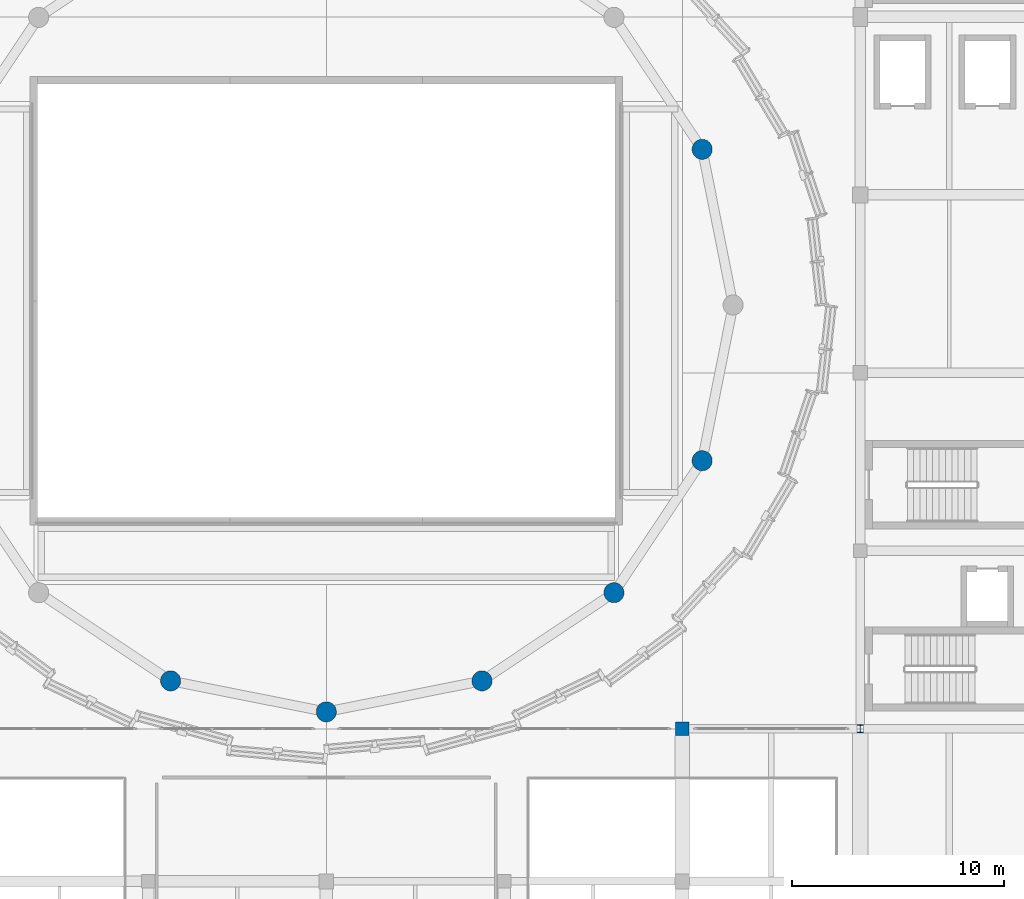
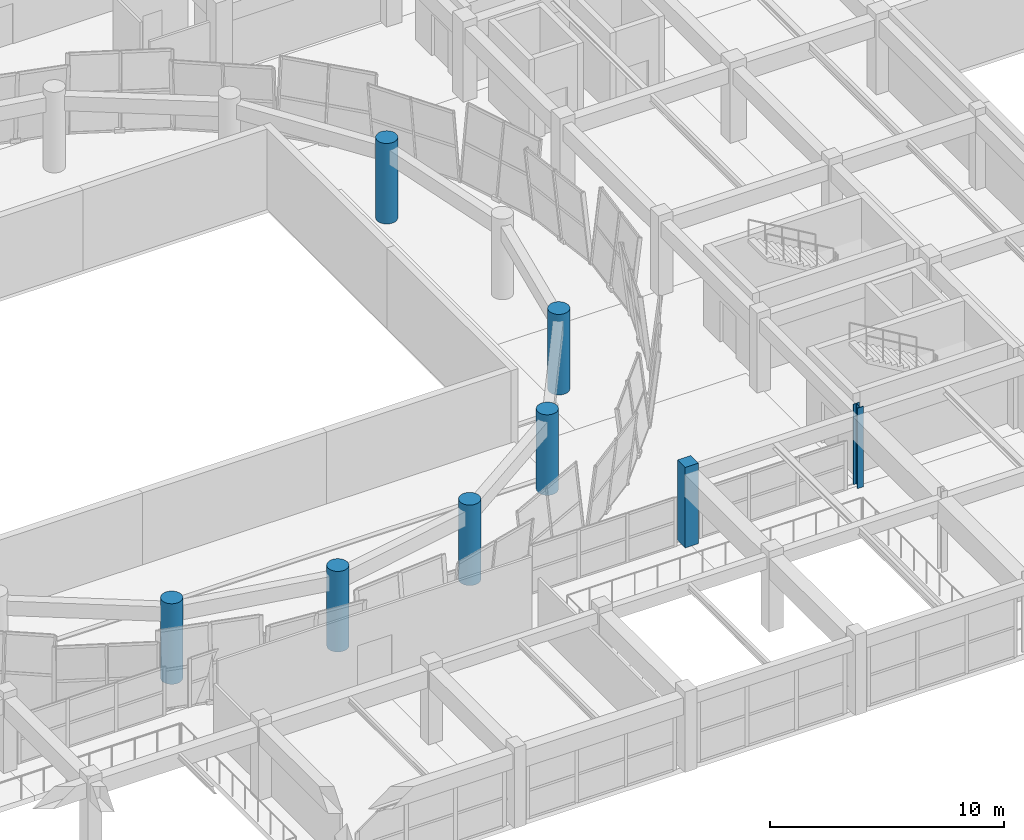
# One storey, part 7 of 71: 8 columns.
"""IFC4 building model written with IfcOpenShell, lengths in metres."""

import ifcopenshell
import ifcopenshell.guid

model = None  # the IFC model being written
_history = None  # IfcOwnerHistory: only IFC2X3 demands one
_inside = {}  # id of a spatial element -> (the spatial element, [elements in it])
_under = {}  # id of a project, library or spatial element -> (it, [spatial elements below it])
_declared = {}  # id of a project -> (the project, [libraries it declares])
_typed = {}  # id of a type object -> (the type object, [elements of that type])
_made_of = {}  # id of a material, layer set ... -> (it, [elements and type objects made of it])


def new_model(schema):
    """Start an empty IFC model of exactly this schema.

    Asked for "IFC4X3", IfcOpenShell would pick the latest addendum, in which some entities
    have other attributes; the version numbers below select the first issue.
    IFC2X3 requires an IfcOwnerHistory on every rooted entity: one is made here for all.
    """
    global model, _history
    if schema == "IFC4X3":
        model = ifcopenshell.file(schema_version=(4, 3, 0, 0))
    else:
        model = ifcopenshell.file(schema=schema)
    _inside.clear()
    _under.clear()
    _declared.clear()
    _typed.clear()
    _made_of.clear()
    _history = None
    if model.schema == "IFC2X3":
        org = make("IfcOrganization", Name="unknown")
        user = make(
            "IfcPersonAndOrganization",
            ThePerson=make("IfcPerson", FamilyName="unknown"),
            TheOrganization=org,
        )
        app = make(
            "IfcApplication",
            ApplicationDeveloper=org,
            Version="unknown",
            ApplicationFullName="unknown",
            ApplicationIdentifier="unknown",
        )
        _history = make(
            "IfcOwnerHistory",
            OwningUser=user,
            OwningApplication=app,
            ChangeAction="ADDED",
            CreationDate=0,
        )
    return model


def make(cls, **values):
    """One entity of the class cls with the attributes given. An attribute that is None is left unset."""
    return model.create_entity(
        cls, **{name: value for name, value in values.items() if value is not None}
    )


def rooted(cls, **values):
    """An entity with a GlobalId (a new one), such as an element, a storey or a relation."""
    return make(cls, GlobalId=ifcopenshell.guid.new(), OwnerHistory=_history, **values)


def si_unit(unit_type, name, prefix=None):
    """IfcSIUnit, for example si_unit("LENGTHUNIT", "METRE", prefix="MILLI")."""
    return make("IfcSIUnit", UnitType=unit_type, Prefix=prefix, Name=name)


def assignment(units):
    """IfcUnitAssignment: the units of a project."""
    return None if units is None else make("IfcUnitAssignment", Units=units)


def point(xyz):
    """IfcCartesianPoint."""
    return None if xyz is None else make("IfcCartesianPoint", Coordinates=xyz)


def direction(xyz):
    """IfcDirection."""
    return None if xyz is None else make("IfcDirection", DirectionRatios=xyz)


def frame(location, z_axis=None, x_axis=None):
    """IfcAxis2Placement3D, a coordinate frame: its origin and axes. An axis left out is left unset."""
    return make(
        "IfcAxis2Placement3D",
        Location=point(location),
        Axis=direction(z_axis),
        RefDirection=direction(x_axis),
    )


def frame_2d(location, x_axis=None):
    """IfcAxis2Placement2D, a coordinate frame in the plane: its origin and x axis."""
    return make(
        "IfcAxis2Placement2D", Location=point(location), RefDirection=direction(x_axis)
    )


def origin():
    """The frame at (0, 0, 0) with its axes left unset."""
    return frame((0.0, 0.0, 0.0))


def origin_2d():
    """The frame at (0, 0) in the plane with its x axis left unset."""
    return frame_2d((0.0, 0.0))


def place(relative_to, where):
    """IfcLocalPlacement: puts the frame where relative to a parent placement (None: the world)."""
    return make(
        "IfcLocalPlacement", PlacementRelTo=relative_to, RelativePlacement=where
    )


def context(
    kind, dimensions, precision=None, world=None, true_north=None, identifier=None
):
    """IfcGeometricRepresentationContext, for example the 3D "Model" context."""
    return make(
        "IfcGeometricRepresentationContext",
        ContextIdentifier=identifier,
        ContextType=kind,
        CoordinateSpaceDimension=dimensions,
        Precision=precision,
        WorldCoordinateSystem=world,
        TrueNorth=true_north,
    )


def subcontext(parent, identifier, kind, view, scale=None):
    """IfcGeometricRepresentationSubContext, for example "Body" below "Model"."""
    return make(
        "IfcGeometricRepresentationSubContext",
        ContextIdentifier=identifier,
        ContextType=kind,
        ParentContext=parent,
        TargetScale=scale,
        TargetView=view,
    )


def project(units=None, contexts=None):
    """IfcProject with its units and contexts."""
    return rooted(
        "IfcProject",
        Name="project",
        RepresentationContexts=contexts,
        UnitsInContext=assignment(units),
    )


def spatial(cls, under=None, at=None, **own):
    """A site, building, storey or space (cls), placed at a placement, below another one or the project."""
    s = rooted(cls, ObjectPlacement=at, **own)
    if under is not None:
        _under.setdefault(under.id(), (under, []))[1].append(s)
    return s


def profile(cls, at=None, kind="AREA", **sizes):
    """A parametric profile (cls). Its sizes go by their IFC names, for example OverallWidth=200.0."""
    return make(cls, ProfileType=kind, Position=at, **sizes)


def rectangle(**sizes):
    """IfcRectangleProfileDef."""
    return profile("IfcRectangleProfileDef", **sizes)


def circle(**sizes):
    """IfcCircleProfileDef."""
    return profile("IfcCircleProfileDef", **sizes)


def i_section(**sizes):
    """IfcIShapeProfileDef."""
    return profile("IfcIShapeProfileDef", **sizes)


def extrude(swept, where, along, depth):
    """IfcExtrudedAreaSolid: the profile swept, set in the frame where, extruded along a direction by depth."""
    return make(
        "IfcExtrudedAreaSolid",
        SweptArea=swept,
        Position=where,
        ExtrudedDirection=direction(along),
        Depth=depth,
    )


def shape(context_of_items, identifier, shape_type, items):
    """IfcShapeRepresentation: the items that make up one representation, for example the "Body"."""
    return make(
        "IfcShapeRepresentation",
        ContextOfItems=context_of_items,
        RepresentationIdentifier=identifier,
        RepresentationType=shape_type,
        Items=items,
    )


def material(Name=None, Category=None):
    """IfcMaterial."""
    return make("IfcMaterial", Name=Name, Category=Category)


def material_profile(
    of_material, cross_section, Name=None, Category=None, Priority=None
):
    """IfcMaterialProfile: a cross section and its material."""
    return make(
        "IfcMaterialProfile",
        Name=Name,
        Material=of_material,
        Profile=cross_section,
        Priority=Priority,
        Category=Category,
    )


def profile_set(profiles, Name=None, composite=None):
    """IfcMaterialProfileSet."""
    return make(
        "IfcMaterialProfileSet",
        Name=Name,
        MaterialProfiles=profiles,
        CompositeProfile=composite,
    )


def made_of(thing, what):
    """Note that an element or type object is made of a material, layer set ...; save() writes the relation."""
    if what is not None:
        _made_of.setdefault(what.id(), (what, []))[1].append(thing)
    return thing


def type_object(cls, material=None, **own):
    """A type object (cls), such as IfcWallType, which elements share."""
    return made_of(rooted(cls, **own), material)


def element(
    cls,
    number,
    at=None,
    inside=None,
    cuts=None,
    type_object=None,
    material=None,
    context=None,
    identifier="Body",
    shape_type=None,
    held_by="IfcProductDefinitionShape",
    body=None,
    shapes=None,
    **own,
):
    """One element of the class cls, such as IfcWall. Its Tag is "e" and its number.

    at: its placement. inside: the storey or other place that contains it. cuts: it is an
    opening in that element (IfcRelVoidsElement). A single representation is given by context,
    identifier, shape_type and body (its items); several are given by shapes. held_by: the class
    of the entity that holds the representations. save() writes the other relations.
    """
    e = rooted(cls, Tag="e%d" % number, ObjectPlacement=at, **own)
    if body is not None:
        shapes = [shape(context, identifier, shape_type, body)]
    if shapes is not None:
        e.Representation = make(held_by, Representations=shapes)
    if inside is not None:
        _inside.setdefault(inside.id(), (inside, []))[1].append(e)
    if cuts is not None:
        rooted(
            "IfcRelVoidsElement", RelatingBuildingElement=cuts, RelatedOpeningElement=e
        )
    if type_object is not None:
        _typed.setdefault(type_object.id(), (type_object, []))[1].append(e)
    return made_of(e, material)


def aggregate(whole, parts):
    """IfcRelAggregates: a whole, such as a stair, and the parts it consists of."""
    return rooted("IfcRelAggregates", RelatingObject=whole, RelatedObjects=parts)


def save(model, path):
    """Write the relations noted so far, then the file.

    IfcRelAggregates (storeys below a building ...), IfcRelContainedInSpatialStructure (elements
    in a storey), IfcRelDefinesByType, IfcRelAssociatesMaterial and IfcRelDeclares: one each for
    every whole, place, type object, material and project.
    """
    for whole, parts in _under.values():
        aggregate(whole, parts)
    for where, things in _inside.values():
        rooted(
            "IfcRelContainedInSpatialStructure",
            RelatedElements=things,
            RelatingStructure=where,
        )
    for kind, things in _typed.values():
        rooted("IfcRelDefinesByType", RelatedObjects=things, RelatingType=kind)
    for what, things in _made_of.values():
        rooted("IfcRelAssociatesMaterial", RelatedObjects=things, RelatingMaterial=what)
    for by, libraries in _declared.values():
        rooted("IfcRelDeclares", RelatingContext=by, RelatedDefinitions=libraries)
    model.write(path)


model = new_model("IFC4")

# Units and contexts
model_context = context("Model", 3, precision=1e-05, world=origin(), true_north=direction((0.0, 1.0)))
body_context = subcontext(model_context, "Body", "Model", "MODEL_VIEW")
ifc_project = project(units=[si_unit("LENGTHUNIT", "METRE"), si_unit("AREAUNIT", "SQUARE_METRE"), si_unit("VOLUMEUNIT", "CUBIC_METRE"), si_unit("PLANEANGLEUNIT", "RADIAN"), si_unit("MASSUNIT", "GRAM", prefix="KILO")], contexts=[model_context])

# Site, building, storey
site_placement = place(None, origin())
site = spatial("IfcSite", under=ifc_project, at=site_placement, CompositionType="ELEMENT")
building_placement = place(site_placement, origin())
building = spatial("IfcBuilding", under=site, at=building_placement, Name="Korsvaeld Concert Hall", CompositionType="ELEMENT")
storey_placement = place(building_placement, frame((0.0, 0.0, 4.800048828125)))
storey = spatial("IfcBuildingStorey", under=building, at=storey_placement, Name="L01", CompositionType="ELEMENT", Elevation=4.800048828125)

# Columns
ifc_material_1 = material(Name="Concrete C40/50", Category="concrete")
ifc_material_profile_1 = material_profile(ifc_material_1, circle(Radius=0.47509765625, at=origin_2d()), Name="RC D950")
ifc_profile_set_1 = profile_set([ifc_material_profile_1], Name="Concrete C40/50")
column_type_1 = type_object("IfcColumnType", Name="COL-DRUM-D950", PredefinedType="COLUMN", material=ifc_profile_set_1)
for number, where, z_axis, x_axis, name in (
    (1, (101.738525390625, 70.547607421875, 0.0), (0.0, 0.0, 1.0), (1.0, 0.0, 0.0), "Drum column D02 L01"),
    (2, (76.652587890625, 45.46142578125, 0.0), (0.0, 0.0, 1.0), (1.0, 0.0, 0.0), "Drum column D12 L01"),
    (3, (84.0, 44.0, 0.0), (0.0, 0.0, 1.0), (1.0, 0.0, 0.0), "Drum column D13 L01"),
    (4, (91.347412109375, 45.46142578125, 0.0), (0.0, 0.0, 1.0), (1.0, 0.0, 0.0), "Drum column D14 L01"),
    (5, (97.576416015625, 49.62353515625, 0.0), (0.0, 0.0, 1.0), (1.0, 0.0, 0.0), "Drum column D15 L01"),
    (6, (101.738525390625, 55.8525390625, 0.0), (0.0, 0.0, 1.0), (1.0, 0.0, 0.0), "Drum column D16 L01"),
):
    element("IfcColumn", number, at=place(storey_placement, frame(where, z_axis=z_axis, x_axis=x_axis)), inside=storey, type_object=column_type_1, Name=name, PredefinedType="COLUMN", context=body_context, shape_type="SweptSolid", body=[
        extrude(circle(Radius=0.47509765625, at=origin_2d()), origin(), (0.0, 0.0, 1.0), 4.199951171875),
    ])
ifc_material_profile_2 = material_profile(ifc_material_1, rectangle(XDim=0.64990234375, YDim=0.64990234375, at=origin_2d()), Name="RC 650x650")
ifc_profile_set_2 = profile_set([ifc_material_profile_2], Name="Concrete C40/50")
column_type_2 = type_object("IfcColumnType", Name="COL-RC-650x650", PredefinedType="COLUMN", material=ifc_profile_set_2)
column_1_placement = place(storey_placement, frame((100.800048828125, 43.199951171875, 0.0), z_axis=(0.0, 0.0, 1.0), x_axis=(1.0, 0.0, 0.0)))
element("IfcColumn", 7, at=column_1_placement, inside=storey, type_object=column_type_2, Name="Column 14/G L01", PredefinedType="COLUMN", context=body_context, shape_type="SweptSolid", body=[
    extrude(rectangle(XDim=0.64990234375, YDim=0.64990234375, at=origin_2d()), origin(), (0.0, 0.0, 1.0), 4.199951171875),
])
ifc_material_2 = material(Name="Steel S355J2", Category="steel")
ifc_material_profile_3 = material_profile(ifc_material_2, i_section(OverallWidth=0.300048828125, OverallDepth=0.360107421875, WebThickness=0.012451171875, FlangeThickness=0.0224609375, FilletRadius=0.027099609375, at=origin_2d()), Name="HEB 360")
ifc_profile_set_3 = profile_set([ifc_material_profile_3], Name="Steel S355J2")
column_type_3 = type_object("IfcColumnType", Name="COL-STL-HEB360", PredefinedType="COLUMN", material=ifc_profile_set_3)
column_2_placement = place(storey_placement, frame((109.199951171875, 43.199951171875, 0.0), z_axis=(0.0, 0.0, 1.0), x_axis=(1.0, 0.0, 0.0)))
element("IfcColumn", 8, at=column_2_placement, inside=storey, type_object=column_type_3, Name="Column 15/G L01", PredefinedType="COLUMN", context=body_context, shape_type="SweptSolid", body=[
    extrude(i_section(OverallWidth=0.300048828125, OverallDepth=0.360107421875, WebThickness=0.012451171875, FlangeThickness=0.0224609375, FilletRadius=0.027099609375, at=origin_2d()), origin(), (0.0, 0.0, 1.0), 4.199951171875),
])

save(model, "model.ifc")
